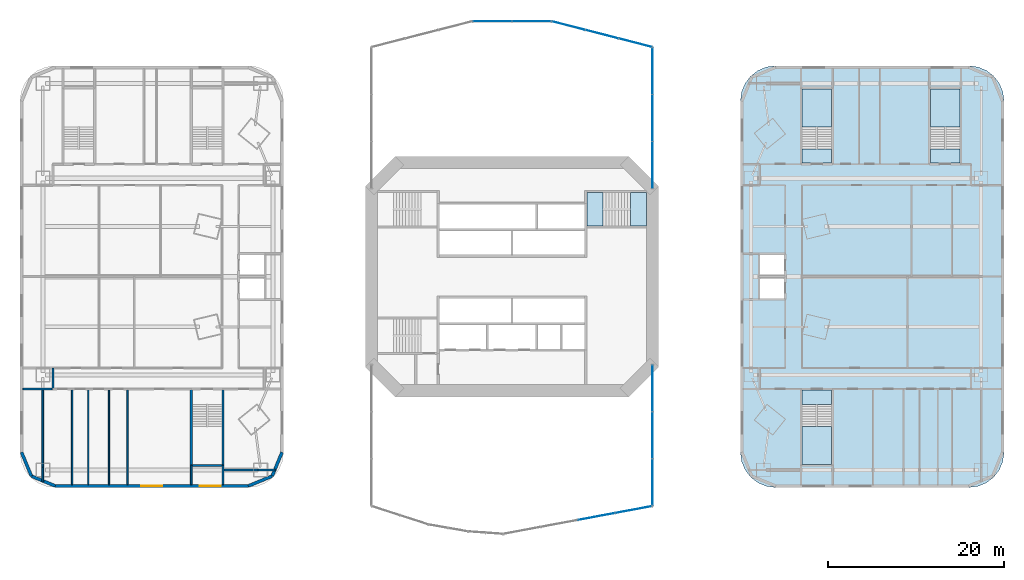
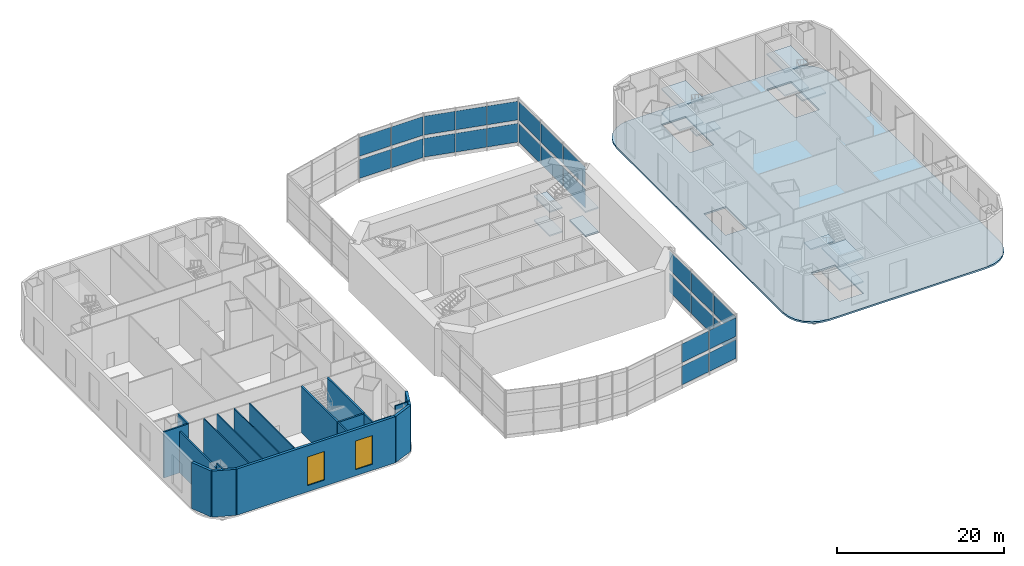
# One storey, part 9 of 19: 26 plates, 20 walls, 14 slabs, 2 windows, 2 openings, 9 elements without a shape of their own.
"""IFC4 building model written with IfcOpenShell, lengths in metres."""

from ifc_helpers import new_model, si_unit, direction, frame, frame_2d, origin, origin_2d, place, context, subcontext, project, spatial, polyline, rectangle, outline, extrude, material, layer, layer_set, type_object, element, fill, aggregate, save


model = new_model("IFC4")

# Units and contexts
model_context = context("Model", 3, precision=1e-05, world=origin(), true_north=direction((0.0, 1.0)))
body_context = subcontext(model_context, "Body", "Model", "MODEL_VIEW")
ifc_project = project(units=[si_unit("LENGTHUNIT", "METRE"), si_unit("AREAUNIT", "SQUARE_METRE"), si_unit("VOLUMEUNIT", "CUBIC_METRE"), si_unit("PLANEANGLEUNIT", "RADIAN"), si_unit("MASSUNIT", "GRAM", prefix="KILO")], contexts=[model_context])

# Site, building, storey
site_placement = place(None, origin())
site = spatial("IfcSite", under=ifc_project, at=site_placement, CompositionType="ELEMENT")
building_placement = place(site_placement, origin())
building = spatial("IfcBuilding", under=site, at=building_placement, Name="Marenthal Gate Tower", CompositionType="ELEMENT")
storey_placement = place(building_placement, frame((0.0, 0.0, 12.0)))
storey = spatial("IfcBuildingStorey", under=building, at=storey_placement, Name="L01", CompositionType="ELEMENT", Elevation=12.0)

# Slab
ifc_material_1 = material(Name="Concrete 50 MPa", Category="concrete")
ifc_layer_1 = layer(ifc_material_1, 0.25)
ifc_layer_set_1 = layer_set([ifc_layer_1], Name="Core floor slab 250")
slab_type_1 = type_object("IfcSlabType", Name="Core floor slab 250", PredefinedType="FLOOR", material=ifc_layer_set_1)
slab_1_placement = place(storey_placement, frame((0.0, 0.0, -0.25)))
element("IfcSlab", 1, at=slab_1_placement, inside=storey, type_object=slab_type_1, Name="Core floor L01", PredefinedType="FLOOR", context=body_context, shape_type="SweptSolid", body=[
    extrude(outline(polyline([(15.300048828125, 5.77490234375), (13.5, 5.77490234375), (13.5, 9.574951171875), (15.300048828125, 9.574951171875), (15.300048828125, 5.77490234375)])), origin(), (0.0, 0.0, 1.0), 0.25),
])

# Curtain wall, plates
ifc_material_2 = material(Name="Aluminium and glass", Category="aluminium")
curtain_wall_type = type_object("IfcCurtainWallType", Name="Curtain wall arch infill", PredefinedType="NOTDEFINED", material=ifc_material_2)
curtain_wall_1_placement = place(storey_placement, origin())
curtain_wall_1 = element("IfcCurtainWall", 2, at=curtain_wall_1_placement, inside=storey, type_object=curtain_wall_type, Name="Curtain wall L01 arch N2", PredefinedType="NOTDEFINED")
ifc_material_3 = material(Name="Glass, laminated impact-rated unit", Category="glass")
ifc_layer_2 = layer(ifc_material_3, 0.035888671875)
ifc_layer_set_2 = layer_set([ifc_layer_2], Name="Glass panel 36 arch infill")
plate_type = type_object("IfcPlateType", Name="Glass panel 36 arch infill", PredefinedType="CURTAIN_PANEL", material=ifc_layer_set_2)
plate_1_placement = place(storey_placement, frame((-2.22998046875, 29.06103515625, 0.5), z_axis=(0.0, 0.0, 1.0), x_axis=(1.0, 0.0, 0.0)))
plate_1 = element("IfcPlate", 3, at=plate_1_placement, type_object=plate_type, Name="Glass panel L01 arch N2.1.1", PredefinedType="CURTAIN_PANEL", context=body_context, shape_type="SweptSolid", body=[
    extrude(rectangle(XDim=4.3798828125, YDim=0.035888671875, at=origin_2d()), origin(), (0.0, 0.0, 1.0), 2.75),
])
plate_2_placement = place(storey_placement, frame((-2.22998046875, 29.06103515625, 3.75), z_axis=(0.0, 0.0, 1.0), x_axis=(1.0, 0.0, 0.0)))
plate_2 = element("IfcPlate", 4, at=plate_2_placement, type_object=plate_type, Name="Glass panel L01 arch N2.1.2", PredefinedType="CURTAIN_PANEL", context=body_context, shape_type="SweptSolid", body=[
    extrude(rectangle(XDim=4.3798828125, YDim=0.035888671875, at=origin_2d()), origin(), (0.0, 0.0, 1.0), 2.75),
])
plate_3_placement = place(storey_placement, frame((2.22998046875, 29.06103515625, 0.5), z_axis=(0.0, 0.0, 1.0), x_axis=(1.0, 0.0, 0.0)))
plate_3 = element("IfcPlate", 5, at=plate_3_placement, type_object=plate_type, Name="Glass panel L01 arch N2.2.1", PredefinedType="CURTAIN_PANEL", context=body_context, shape_type="SweptSolid", body=[
    extrude(rectangle(XDim=4.3798828125, YDim=0.035888671875, at=origin_2d()), origin(), (0.0, 0.0, 1.0), 2.75),
])
plate_4_placement = place(storey_placement, frame((2.22998046875, 29.06103515625, 3.75), z_axis=(0.0, 0.0, 1.0), x_axis=(1.0, 0.0, 0.0)))
plate_4 = element("IfcPlate", 6, at=plate_4_placement, type_object=plate_type, Name="Glass panel L01 arch N2.2.2", PredefinedType="CURTAIN_PANEL", context=body_context, shape_type="SweptSolid", body=[
    extrude(rectangle(XDim=4.3798828125, YDim=0.035888671875, at=origin_2d()), origin(), (0.0, 0.0, 1.0), 2.75),
])
aggregate(curtain_wall_1, [plate_1, plate_2, plate_3, plate_4])

curtain_wall_2_placement = place(storey_placement, origin())
curtain_wall_2 = element("IfcCurtainWall", 7, at=curtain_wall_2_placement, inside=storey, type_object=curtain_wall_type, Name="Curtain wall L01 arch N3", PredefinedType="NOTDEFINED")
plate_5_placement = place(storey_placement, frame((6.4423828125, 28.563720703125, 0.5), z_axis=(0.0, 0.0, 1.0), x_axis=(0.968768898542, -0.247965362941, 0.0)))
plate_5 = element("IfcPlate", 8, at=plate_5_placement, type_object=plate_type, Name="Glass panel L01 arch N3.1.1", PredefinedType="CURTAIN_PANEL", context=body_context, shape_type="SweptSolid", body=[
    extrude(rectangle(XDim=3.850341796875, YDim=0.035888671875, at=origin_2d()), origin(), (0.0, 0.0, 1.0), 2.75),
])
plate_6_placement = place(storey_placement, frame((6.4423828125, 28.563720703125, 3.75), z_axis=(0.0, 0.0, 1.0), x_axis=(0.968768898542, -0.247965362941, 0.0)))
plate_6 = element("IfcPlate", 9, at=plate_6_placement, type_object=plate_type, Name="Glass panel L01 arch N3.1.2", PredefinedType="CURTAIN_PANEL", context=body_context, shape_type="SweptSolid", body=[
    extrude(rectangle(XDim=3.850341796875, YDim=0.035888671875, at=origin_2d()), origin(), (0.0, 0.0, 1.0), 2.75),
])
plate_7_placement = place(storey_placement, frame((10.25, 27.589111328125, 0.5), z_axis=(0.0, 0.0, 1.0), x_axis=(0.968768898542, -0.247965362941, 0.0)))
plate_7 = element("IfcPlate", 10, at=plate_7_placement, type_object=plate_type, Name="Glass panel L01 arch N3.2.1", PredefinedType="CURTAIN_PANEL", context=body_context, shape_type="SweptSolid", body=[
    extrude(rectangle(XDim=3.850341796875, YDim=0.035888671875, at=origin_2d()), origin(), (0.0, 0.0, 1.0), 2.75),
])
plate_8_placement = place(storey_placement, frame((10.25, 27.589111328125, 3.75), z_axis=(0.0, 0.0, 1.0), x_axis=(0.968768898542, -0.247965362941, 0.0)))
plate_8 = element("IfcPlate", 11, at=plate_8_placement, type_object=plate_type, Name="Glass panel L01 arch N3.2.2", PredefinedType="CURTAIN_PANEL", context=body_context, shape_type="SweptSolid", body=[
    extrude(rectangle(XDim=3.850341796875, YDim=0.035888671875, at=origin_2d()), origin(), (0.0, 0.0, 1.0), 2.75),
])
plate_9_placement = place(storey_placement, frame((14.0576171875, 26.614501953125, 0.5), z_axis=(0.0, 0.0, 1.0), x_axis=(0.968768898542, -0.247965362941, 0.0)))
plate_9 = element("IfcPlate", 12, at=plate_9_placement, type_object=plate_type, Name="Glass panel L01 arch N3.3.1", PredefinedType="CURTAIN_PANEL", context=body_context, shape_type="SweptSolid", body=[
    extrude(rectangle(XDim=3.850341796875, YDim=0.035888671875, at=origin_2d()), origin(), (0.0, 0.0, 1.0), 2.75),
])
plate_10_placement = place(storey_placement, frame((14.0576171875, 26.614501953125, 3.75), z_axis=(0.0, 0.0, 1.0), x_axis=(0.968768898542, -0.247965362941, 0.0)))
plate_10 = element("IfcPlate", 13, at=plate_10_placement, type_object=plate_type, Name="Glass panel L01 arch N3.3.2", PredefinedType="CURTAIN_PANEL", context=body_context, shape_type="SweptSolid", body=[
    extrude(rectangle(XDim=3.850341796875, YDim=0.035888671875, at=origin_2d()), origin(), (0.0, 0.0, 1.0), 2.75),
])
aggregate(curtain_wall_2, [plate_5, plate_6, plate_7, plate_8, plate_9, plate_10])

curtain_wall_3_placement = place(storey_placement, origin())
curtain_wall_3 = element("IfcCurtainWall", 14, at=curtain_wall_3_placement, inside=storey, type_object=curtain_wall_type, Name="Curtain wall L01 hall NE1", PredefinedType="NOTDEFINED")
plate_11_placement = place(storey_placement, frame((16.0, 12.712890625, 0.5), z_axis=(0.0, 0.0, 1.0), x_axis=(0.0, 1.0, 0.0)))
plate_11 = element("IfcPlate", 15, at=plate_11_placement, type_object=plate_type, Name="Glass panel L01 hall NE1.1.1", PredefinedType="CURTAIN_PANEL", context=body_context, shape_type="SweptSolid", body=[
    extrude(rectangle(XDim=5.265869140625, YDim=0.035888671875, at=origin_2d()), origin(), (0.0, 0.0, 1.0), 2.75),
])
plate_12_placement = place(storey_placement, frame((16.0, 12.712890625, 3.75), z_axis=(0.0, 0.0, 1.0), x_axis=(0.0, 1.0, 0.0)))
plate_12 = element("IfcPlate", 16, at=plate_12_placement, type_object=plate_type, Name="Glass panel L01 hall NE1.1.2", PredefinedType="CURTAIN_PANEL", context=body_context, shape_type="SweptSolid", body=[
    extrude(rectangle(XDim=5.265869140625, YDim=0.035888671875, at=origin_2d()), origin(), (0.0, 0.0, 1.0), 2.75),
])
plate_13_placement = place(storey_placement, frame((16.0, 18.05859375, 0.5), z_axis=(0.0, 0.0, 1.0), x_axis=(0.0, 1.0, 0.0)))
plate_13 = element("IfcPlate", 17, at=plate_13_placement, type_object=plate_type, Name="Glass panel L01 hall NE1.2.1", PredefinedType="CURTAIN_PANEL", context=body_context, shape_type="SweptSolid", body=[
    extrude(rectangle(XDim=5.265869140625, YDim=0.035888671875, at=origin_2d()), origin(), (0.0, 0.0, 1.0), 2.75),
])
plate_14_placement = place(storey_placement, frame((16.0, 18.05859375, 3.75), z_axis=(0.0, 0.0, 1.0), x_axis=(0.0, 1.0, 0.0)))
plate_14 = element("IfcPlate", 18, at=plate_14_placement, type_object=plate_type, Name="Glass panel L01 hall NE1.2.2", PredefinedType="CURTAIN_PANEL", context=body_context, shape_type="SweptSolid", body=[
    extrude(rectangle(XDim=5.265869140625, YDim=0.035888671875, at=origin_2d()), origin(), (0.0, 0.0, 1.0), 2.75),
])
plate_15_placement = place(storey_placement, frame((16.0, 23.404541015625, 0.5), z_axis=(0.0, 0.0, 1.0), x_axis=(0.0, 1.0, 0.0)))
plate_15 = element("IfcPlate", 19, at=plate_15_placement, type_object=plate_type, Name="Glass panel L01 hall NE1.3.1", PredefinedType="CURTAIN_PANEL", context=body_context, shape_type="SweptSolid", body=[
    extrude(rectangle(XDim=5.265869140625, YDim=0.035888671875, at=origin_2d()), origin(), (0.0, 0.0, 1.0), 2.75),
])
plate_16_placement = place(storey_placement, frame((16.0, 23.404541015625, 3.75), z_axis=(0.0, 0.0, 1.0), x_axis=(0.0, 1.0, 0.0)))
plate_16 = element("IfcPlate", 20, at=plate_16_placement, type_object=plate_type, Name="Glass panel L01 hall NE1.3.2", PredefinedType="CURTAIN_PANEL", context=body_context, shape_type="SweptSolid", body=[
    extrude(rectangle(XDim=5.265869140625, YDim=0.035888671875, at=origin_2d()), origin(), (0.0, 0.0, 1.0), 2.75),
])
aggregate(curtain_wall_3, [plate_11, plate_12, plate_13, plate_14, plate_15, plate_16])

curtain_wall_4_placement = place(storey_placement, origin())
curtain_wall_4 = element("IfcCurtainWall", 21, at=curtain_wall_4_placement, inside=storey, type_object=curtain_wall_type, Name="Curtain wall L01 arch S4", PredefinedType="NOTDEFINED")
plate_17_placement = place(storey_placement, frame((9.615234375, -27.308349609375, 0.5), z_axis=(0.0, 0.0, 1.0), x_axis=(0.983046432537, 0.183356787375, 0.0)))
plate_17 = element("IfcPlate", 22, at=plate_17_placement, type_object=plate_type, Name="Glass panel L01 arch S4.3.1", PredefinedType="CURTAIN_PANEL", context=body_context, shape_type="SweptSolid", body=[
    extrude(rectangle(XDim=4.223388671875, YDim=0.035888671875, at=origin_2d()), origin(), (0.0, 0.0, 1.0), 2.75),
])
plate_18_placement = place(storey_placement, frame((9.615234375, -27.308349609375, 3.75), z_axis=(0.0, 0.0, 1.0), x_axis=(0.983046432537, 0.183356787375, 0.0)))
plate_18 = element("IfcPlate", 23, at=plate_18_placement, type_object=plate_type, Name="Glass panel L01 arch S4.3.2", PredefinedType="CURTAIN_PANEL", context=body_context, shape_type="SweptSolid", body=[
    extrude(rectangle(XDim=4.223388671875, YDim=0.035888671875, at=origin_2d()), origin(), (0.0, 0.0, 1.0), 2.75),
])
plate_19_placement = place(storey_placement, frame((13.845458984375, -26.519287109375, 0.5), z_axis=(0.0, 0.0, 1.0), x_axis=(0.983046432537, 0.183356787375, 0.0)))
plate_19 = element("IfcPlate", 24, at=plate_19_placement, type_object=plate_type, Name="Glass panel L01 arch S4.4.1", PredefinedType="CURTAIN_PANEL", context=body_context, shape_type="SweptSolid", body=[
    extrude(rectangle(XDim=4.223388671875, YDim=0.035888671875, at=origin_2d()), origin(), (0.0, 0.0, 1.0), 2.75),
])
plate_20_placement = place(storey_placement, frame((13.845458984375, -26.519287109375, 3.75), z_axis=(0.0, 0.0, 1.0), x_axis=(0.983046432537, 0.183356787375, 0.0)))
plate_20 = element("IfcPlate", 25, at=plate_20_placement, type_object=plate_type, Name="Glass panel L01 arch S4.4.2", PredefinedType="CURTAIN_PANEL", context=body_context, shape_type="SweptSolid", body=[
    extrude(rectangle(XDim=4.223388671875, YDim=0.035888671875, at=origin_2d()), origin(), (0.0, 0.0, 1.0), 2.75),
])
aggregate(curtain_wall_4, [plate_17, plate_18, plate_19, plate_20])

curtain_wall_5_placement = place(storey_placement, origin())
curtain_wall_5 = element("IfcCurtainWall", 26, at=curtain_wall_5_placement, inside=storey, type_object=curtain_wall_type, Name="Curtain wall L01 hall SE1", PredefinedType="NOTDEFINED")
plate_21_placement = place(storey_placement, frame((16.0, -12.712890625, 0.5), z_axis=(0.0, 0.0, 1.0), x_axis=(0.0, -1.0, 0.0)))
plate_21 = element("IfcPlate", 27, at=plate_21_placement, type_object=plate_type, Name="Glass panel L01 hall SE1.1.1", PredefinedType="CURTAIN_PANEL", context=body_context, shape_type="SweptSolid", body=[
    extrude(rectangle(XDim=5.265869140625, YDim=0.035888671875, at=origin_2d()), origin(), (0.0, 0.0, 1.0), 2.75),
])
plate_22_placement = place(storey_placement, frame((16.0, -12.712890625, 3.75), z_axis=(0.0, 0.0, 1.0), x_axis=(0.0, -1.0, 0.0)))
plate_22 = element("IfcPlate", 28, at=plate_22_placement, type_object=plate_type, Name="Glass panel L01 hall SE1.1.2", PredefinedType="CURTAIN_PANEL", context=body_context, shape_type="SweptSolid", body=[
    extrude(rectangle(XDim=5.265869140625, YDim=0.035888671875, at=origin_2d()), origin(), (0.0, 0.0, 1.0), 2.75),
])
plate_23_placement = place(storey_placement, frame((16.0, -18.05859375, 0.5), z_axis=(0.0, 0.0, 1.0), x_axis=(0.0, -1.0, 0.0)))
plate_23 = element("IfcPlate", 29, at=plate_23_placement, type_object=plate_type, Name="Glass panel L01 hall SE1.2.1", PredefinedType="CURTAIN_PANEL", context=body_context, shape_type="SweptSolid", body=[
    extrude(rectangle(XDim=5.265869140625, YDim=0.035888671875, at=origin_2d()), origin(), (0.0, 0.0, 1.0), 2.75),
])
plate_24_placement = place(storey_placement, frame((16.0, -18.05859375, 3.75), z_axis=(0.0, 0.0, 1.0), x_axis=(0.0, -1.0, 0.0)))
plate_24 = element("IfcPlate", 30, at=plate_24_placement, type_object=plate_type, Name="Glass panel L01 hall SE1.2.2", PredefinedType="CURTAIN_PANEL", context=body_context, shape_type="SweptSolid", body=[
    extrude(rectangle(XDim=5.265869140625, YDim=0.035888671875, at=origin_2d()), origin(), (0.0, 0.0, 1.0), 2.75),
])
plate_25_placement = place(storey_placement, frame((16.0, -23.404541015625, 0.5), z_axis=(0.0, 0.0, 1.0), x_axis=(0.0, -1.0, 0.0)))
plate_25 = element("IfcPlate", 31, at=plate_25_placement, type_object=plate_type, Name="Glass panel L01 hall SE1.3.1", PredefinedType="CURTAIN_PANEL", context=body_context, shape_type="SweptSolid", body=[
    extrude(rectangle(XDim=5.265869140625, YDim=0.035888671875, at=origin_2d()), origin(), (0.0, 0.0, 1.0), 2.75),
])
plate_26_placement = place(storey_placement, frame((16.0, -23.404541015625, 3.75), z_axis=(0.0, 0.0, 1.0), x_axis=(0.0, -1.0, 0.0)))
plate_26 = element("IfcPlate", 32, at=plate_26_placement, type_object=plate_type, Name="Glass panel L01 hall SE1.3.2", PredefinedType="CURTAIN_PANEL", context=body_context, shape_type="SweptSolid", body=[
    extrude(rectangle(XDim=5.265869140625, YDim=0.035888671875, at=origin_2d()), origin(), (0.0, 0.0, 1.0), 2.75),
])
aggregate(curtain_wall_5, [plate_21, plate_22, plate_23, plate_24, plate_25, plate_26])

# Stair, slabs
ifc_material_4 = material(Name="Concrete 40 MPa", Category="concrete")
stair_type_1 = type_object("IfcStairType", Name="Exit stair 1800", PredefinedType="HALF_TURN_STAIR", material=ifc_material_4)
stair_1_placement = place(storey_placement, origin())
stair_1 = element("IfcStair", 33, at=stair_1_placement, inside=storey, type_object=stair_type_1, Name="Stair ST3", PredefinedType="HALF_TURN_STAIR")
ifc_material_5 = material(Name="Concrete 40 MPa", Category="concrete")
ifc_layer_3 = layer(ifc_material_5, 0.199951171875)
ifc_layer_set_3 = layer_set([ifc_layer_3], Name="Stair landing 200")
slab_type_2 = type_object("IfcSlabType", Name="Stair landing 200", PredefinedType="LANDING", material=ifc_layer_set_3)
slab_2_placement = place(storey_placement, frame((0.0, 0.0, 1.550048828125)))
slab_2 = element("IfcSlab", 34, at=slab_2_placement, type_object=slab_type_2, Name="ST3 landing 1", PredefinedType="LANDING", context=body_context, shape_type="SweptSolid", body=[
    extrude(outline(polyline([(8.550048828125, 5.77490234375), (10.35009765625, 5.77490234375), (10.35009765625, 9.574951171875), (8.550048828125, 9.574951171875), (8.550048828125, 5.77490234375)])), origin(), (0.0, 0.0, 1.0), 0.199951171875),
])
slab_3_placement = place(storey_placement, frame((0.0, 0.0, 3.300048828125)))
slab_3 = element("IfcSlab", 35, at=slab_3_placement, type_object=slab_type_2, Name="ST3 landing 2", PredefinedType="LANDING", context=body_context, shape_type="SweptSolid", body=[
    extrude(outline(polyline([(13.5, 5.77490234375), (15.300048828125, 5.77490234375), (15.300048828125, 9.574951171875), (13.5, 9.574951171875), (13.5, 5.77490234375)])), origin(), (0.0, 0.0, 1.0), 0.199951171875),
])
slab_4_placement = place(storey_placement, frame((0.0, 0.0, 5.050048828125)))
slab_4 = element("IfcSlab", 36, at=slab_4_placement, type_object=slab_type_2, Name="ST3 landing 3", PredefinedType="LANDING", context=body_context, shape_type="SweptSolid", body=[
    extrude(outline(polyline([(8.550048828125, 5.77490234375), (10.35009765625, 5.77490234375), (10.35009765625, 9.574951171875), (8.550048828125, 9.574951171875), (8.550048828125, 5.77490234375)])), origin(), (0.0, 0.0, 1.0), 0.199951171875),
])
aggregate(stair_1, [slab_2, slab_3, slab_4])

ifc_material_6 = material(Name="Concrete 40 MPa", Category="concrete")
stair_type_2 = type_object("IfcStairType", Name="Exit stair 1600", PredefinedType="HALF_TURN_STAIR", material=ifc_material_6)
stair_2_placement = place(storey_placement, origin())
stair_2 = element("IfcStair", 37, at=stair_2_placement, inside=storey, type_object=stair_type_2, Name="Stair E1", PredefinedType="HALF_TURN_STAIR")
slab_5_placement = place(storey_placement, frame((0.0, 0.0, 1.550048828125)))
slab_5 = element("IfcSlab", 38, at=slab_5_placement, type_object=slab_type_2, Name="E1 landing 1", PredefinedType="LANDING", context=body_context, shape_type="SweptSolid", body=[
    extrude(outline(polyline([(33.02490234375, 17.044921875), (33.02490234375, 21.375), (36.375, 21.375), (36.375, 17.044921875), (33.02490234375, 17.044921875)])), origin(), (0.0, 0.0, 1.0), 0.199951171875),
])
slab_6_placement = place(storey_placement, frame((0.0, 0.0, 3.300048828125)))
slab_6 = element("IfcSlab", 39, at=slab_6_placement, type_object=slab_type_2, Name="E1 landing 2", PredefinedType="LANDING", context=body_context, shape_type="SweptSolid", body=[
    extrude(outline(polyline([(33.02490234375, 12.925048828125), (33.02490234375, 14.52490234375), (36.375, 14.52490234375), (36.375, 12.925048828125), (33.02490234375, 12.925048828125)])), origin(), (0.0, 0.0, 1.0), 0.199951171875),
])
slab_7_placement = place(storey_placement, frame((0.0, 0.0, 5.050048828125)))
slab_7 = element("IfcSlab", 40, at=slab_7_placement, type_object=slab_type_2, Name="E1 landing 3", PredefinedType="LANDING", context=body_context, shape_type="SweptSolid", body=[
    extrude(outline(polyline([(33.02490234375, 17.044921875), (33.02490234375, 21.375), (36.375, 21.375), (36.375, 17.044921875), (33.02490234375, 17.044921875)])), origin(), (0.0, 0.0, 1.0), 0.199951171875),
])
aggregate(stair_2, [slab_5, slab_6, slab_7])

stair_3_placement = place(storey_placement, origin())
stair_3 = element("IfcStair", 41, at=stair_3_placement, inside=storey, type_object=stair_type_2, Name="Stair E2", PredefinedType="HALF_TURN_STAIR")
slab_8_placement = place(storey_placement, frame((0.0, 0.0, 1.550048828125)))
slab_8 = element("IfcSlab", 42, at=slab_8_placement, type_object=slab_type_2, Name="E2 landing 1", PredefinedType="LANDING", context=body_context, shape_type="SweptSolid", body=[
    extrude(outline(polyline([(36.375, -17.044921875), (36.375, -21.375), (33.02490234375, -21.375), (33.02490234375, -17.044921875), (36.375, -17.044921875)])), origin(), (0.0, 0.0, 1.0), 0.199951171875),
])
slab_9_placement = place(storey_placement, frame((0.0, 0.0, 3.300048828125)))
slab_9 = element("IfcSlab", 43, at=slab_9_placement, type_object=slab_type_2, Name="E2 landing 2", PredefinedType="LANDING", context=body_context, shape_type="SweptSolid", body=[
    extrude(outline(polyline([(36.375, -12.925048828125), (36.375, -14.52490234375), (33.02490234375, -14.52490234375), (33.02490234375, -12.925048828125), (36.375, -12.925048828125)])), origin(), (0.0, 0.0, 1.0), 0.199951171875),
])
slab_10_placement = place(storey_placement, frame((0.0, 0.0, 5.050048828125)))
slab_10 = element("IfcSlab", 44, at=slab_10_placement, type_object=slab_type_2, Name="E2 landing 3", PredefinedType="LANDING", context=body_context, shape_type="SweptSolid", body=[
    extrude(outline(polyline([(36.375, -17.044921875), (36.375, -21.375), (33.02490234375, -21.375), (33.02490234375, -17.044921875), (36.375, -17.044921875)])), origin(), (0.0, 0.0, 1.0), 0.199951171875),
])
aggregate(stair_3, [slab_8, slab_9, slab_10])

stair_4_placement = place(storey_placement, origin())
stair_4 = element("IfcStair", 45, at=stair_4_placement, inside=storey, type_object=stair_type_2, Name="Stair E3", PredefinedType="HALF_TURN_STAIR")
slab_11_placement = place(storey_placement, frame((0.0, 0.0, 1.550048828125)))
slab_11 = element("IfcSlab", 46, at=slab_11_placement, type_object=slab_type_2, Name="E3 landing 1", PredefinedType="LANDING", context=body_context, shape_type="SweptSolid", body=[
    extrude(outline(polyline([(47.625, 17.044921875), (47.625, 21.375), (50.97509765625, 21.375), (50.97509765625, 17.044921875), (47.625, 17.044921875)])), origin(), (0.0, 0.0, 1.0), 0.199951171875),
])
slab_12_placement = place(storey_placement, frame((0.0, 0.0, 3.300048828125)))
slab_12 = element("IfcSlab", 47, at=slab_12_placement, type_object=slab_type_2, Name="E3 landing 2", PredefinedType="LANDING", context=body_context, shape_type="SweptSolid", body=[
    extrude(outline(polyline([(47.625, 12.925048828125), (47.625, 14.52490234375), (50.97509765625, 14.52490234375), (50.97509765625, 12.925048828125), (47.625, 12.925048828125)])), origin(), (0.0, 0.0, 1.0), 0.199951171875),
])
slab_13_placement = place(storey_placement, frame((0.0, 0.0, 5.050048828125)))
slab_13 = element("IfcSlab", 48, at=slab_13_placement, type_object=slab_type_2, Name="E3 landing 3", PredefinedType="LANDING", context=body_context, shape_type="SweptSolid", body=[
    extrude(outline(polyline([(47.625, 17.044921875), (47.625, 21.375), (50.97509765625, 21.375), (50.97509765625, 17.044921875), (47.625, 17.044921875)])), origin(), (0.0, 0.0, 1.0), 0.199951171875),
])
aggregate(stair_4, [slab_11, slab_12, slab_13])

# Slab
ifc_material_7 = material(Name="Concrete 35 MPa", Category="concrete")
ifc_layer_4 = layer(ifc_material_7, 0.25)
ifc_layer_set_4 = layer_set([ifc_layer_4], Name="WING FLOOR 250")
slab_type_3 = type_object("IfcSlabType", Name="WING FLOOR 250", PredefinedType="FLOOR", material=ifc_layer_set_4)
slab_14_placement = place(storey_placement, frame((0.0, 0.0, -0.25)))
element("IfcSlab", 49, at=slab_14_placement, inside=storey, type_object=slab_type_3, Name="SL-L01-11", PredefinedType="FLOOR", context=body_context, shape_type="SweptSolid", body=[
    extrude(outline(polyline([(30.0, -24.0), (28.964599609375, -23.86376953125), (28.0, -23.464111328125), (27.171630859375, -22.828369140625), (26.535888671875, -22.0), (26.13623046875, -21.035400390625), (26.0, -20.0), (26.0, 20.0), (26.13623046875, 21.035400390625), (26.535888671875, 22.0), (27.171630859375, 22.828369140625), (28.0, 23.464111328125), (28.964599609375, 23.86376953125), (30.0, 24.0), (52.0, 24.0), (53.035400390625, 23.86376953125), (54.0, 23.464111328125), (54.828369140625, 22.828369140625), (55.464111328125, 22.0), (55.86376953125, 21.035400390625), (56.0, 20.0), (56.0, -20.0), (55.86376953125, -21.035400390625), (55.464111328125, -22.0), (54.828369140625, -22.828369140625), (54.0, -23.464111328125), (53.035400390625, -23.86376953125), (52.0, -24.0), (30.0, -24.0)]), holes=[polyline([(33.02490234375, -14.529052734375), (33.02490234375, -21.37109375), (36.375, -21.37109375), (36.375, -14.529052734375), (33.02490234375, -14.529052734375)]), polyline([(28.10009765625, 2.60009765625), (28.10009765625, -2.60009765625), (31.10009765625, -2.60009765625), (31.10009765625, 2.60009765625), (28.10009765625, 2.60009765625)]), polyline([(33.02490234375, 21.37109375), (33.02490234375, 14.529052734375), (36.375, 14.529052734375), (36.375, 21.37109375), (33.02490234375, 21.37109375)]), polyline([(47.625, 21.37109375), (47.625, 14.529052734375), (50.97509765625, 14.529052734375), (50.97509765625, 21.37109375), (47.625, 21.37109375)])]), origin(), (0.0, 0.0, 1.0), 0.25),
])

# Walls
ifc_material_8 = material(Name="Gypsum board on steel studs", Category="steel")
ifc_layer_5 = layer(ifc_material_8, 0.199951171875)
ifc_layer_set_5 = layer_set([ifc_layer_5], Name="Partition 200")
wall_type_1 = type_object("IfcWallType", Name="Partition 200", PredefinedType="PARTITIONING", material=ifc_layer_set_5)
wall_1_placement = place(storey_placement, frame((-32.89990234375, -22.0, 0.0), z_axis=(0.0, 0.0, 1.0), x_axis=(1.0, 0.0, 0.0)))
element("IfcWall", 50, at=wall_1_placement, inside=storey, type_object=wall_type_1, Name="Partition wall 83", PredefinedType="PARTITIONING", context=body_context, shape_type="SweptSolid", body=[
    extrude(rectangle(XDim=4.0, YDim=0.199951171875, at=frame_2d((2.0, 0.0))), origin(), (0.0, 0.0, 1.0), 5.449951171875),
])
wall_2_placement = place(storey_placement, frame((-28.89990234375, -22.0, 0.0), z_axis=(0.0, 0.0, 1.0), x_axis=(1.0, 0.0, 0.0)))
element("IfcWall", 51, at=wall_2_placement, inside=storey, type_object=wall_type_1, Name="Partition wall 165", PredefinedType="PARTITIONING", context=body_context, shape_type="SweptSolid", body=[
    extrude(rectangle(XDim=1.947998046875, YDim=0.199951171875, at=frame_2d((0.97412109375, 0.0))), origin(), (0.0, 0.0, 1.0), 6.75),
])
wall_3_placement = place(storey_placement, frame((-55.669921875, -12.800048828125, 0.0), z_axis=(0.0, 0.0, 1.0), x_axis=(1.0, 0.0, 0.0)))
element("IfcWall", 52, at=wall_3_placement, inside=storey, type_object=wall_type_1, Name="Partition wall 85", PredefinedType="PARTITIONING", context=body_context, shape_type="SweptSolid", body=[
    extrude(rectangle(XDim=3.4248046875, YDim=0.199951171875, at=frame_2d((1.71240234375, 0.0))), origin(), (0.0, 0.0, 1.0), 6.75),
])
for number, where, z_axis, x_axis, name in (
    (53, (-32.89990234375, -23.669921875, 0.0), (0.0, 0.0, 1.0), (0.0, 1.0, 0.0), "Partition wall 20"),
    (54, (-36.5, -23.669921875, 0.0), (0.0, 0.0, 1.0), (0.0, 1.0, 0.0), "Partition wall 22"),
):
    element("IfcWall", number, at=place(storey_placement, frame(where, z_axis=z_axis, x_axis=x_axis)), inside=storey, type_object=wall_type_1, Name=name, PredefinedType="PARTITIONING", context=body_context, shape_type="SweptSolid", body=[
        extrude(rectangle(XDim=2.173828125, YDim=0.199951171875, at=frame_2d((1.0869140625, 0.0))), origin(), (0.0, 0.0, 1.0), 6.75),
    ])
wall_4_placement = place(storey_placement, frame((-52.25, -12.800048828125, 0.0), z_axis=(0.0, 0.0, 1.0), x_axis=(0.0, 1.0, 0.0)))
element("IfcWall", 55, at=wall_4_placement, inside=storey, type_object=wall_type_1, Name="Partition wall 26", PredefinedType="PARTITIONING", context=body_context, shape_type="SweptSolid", body=[
    extrude(rectangle(XDim=2.400146484375, YDim=0.199951171875, at=frame_2d((1.2001953125, 0.0))), origin(), (0.0, 0.0, 1.0), 6.75),
])
wall_5_placement = place(storey_placement, frame((-53.39990234375, -23.35546875, 0.0), z_axis=(0.0, 0.0, 1.0), x_axis=(0.0, 1.0, 0.0)))
element("IfcWall", 56, at=wall_5_placement, inside=storey, type_object=wall_type_1, Name="Partition wall 28", PredefinedType="PARTITIONING", context=body_context, shape_type="SweptSolid", body=[
    extrude(rectangle(XDim=1.655517578125, YDim=0.199951171875, at=frame_2d((0.82763671875, 0.0))), origin(), (0.0, 0.0, 1.0), 6.75),
])
wall_6_placement = place(storey_placement, frame((-53.39990234375, -21.699951171875, 0.0), z_axis=(0.0, 0.0, 1.0), x_axis=(0.0, 1.0, 0.0)))
element("IfcWall", 57, at=wall_6_placement, inside=storey, type_object=wall_type_1, Name="Partition wall 170", PredefinedType="PARTITIONING", context=body_context, shape_type="SweptSolid", body=[
    extrude(rectangle(XDim=8.89990234375, YDim=0.199951171875, at=frame_2d((4.449951171875, 0.0))), origin(), (0.0, 0.0, 1.0), 6.06689453125),
])
ifc_material_9 = material(Name="Concrete 50 MPa", Category="concrete")
ifc_layer_6 = layer(ifc_material_9, 0.25)
ifc_layer_set_6 = layer_set([ifc_layer_6], Name="Stair shear wall 250")
wall_type_2 = type_object("IfcWallType", Name="Stair shear wall 250", PredefinedType="SHEAR", material=ifc_layer_set_6)
wall_7_placement = place(storey_placement, frame((-36.5, -21.5, 0.0), z_axis=(0.0, 0.0, 1.0), x_axis=(1.0, 0.0, 0.0)))
element("IfcWall", 58, at=wall_7_placement, inside=storey, type_object=wall_type_2, Name="Stair wall 29", PredefinedType="SHEAR", context=body_context, shape_type="SweptSolid", body=[
    extrude(rectangle(XDim=3.60009765625, YDim=0.25, at=frame_2d((1.800048828125, 0.0))), origin(), (0.0, 0.0, 1.0), 6.75),
])
for number, where, z_axis, x_axis, name in (
    (59, (-32.89990234375, -21.5, 0.0), (0.0, 0.0, 1.0), (0.0, 1.0, 0.0), "Stair wall 47"),
    (60, (-36.5, -21.5, 0.0), (0.0, 0.0, 1.0), (0.0, 1.0, 0.0), "Stair wall 49"),
):
    element("IfcWall", number, at=place(storey_placement, frame(where, z_axis=z_axis, x_axis=x_axis)), inside=storey, type_object=wall_type_2, Name=name, PredefinedType="SHEAR", context=body_context, shape_type="SweptSolid", body=[
        extrude(rectangle(XDim=8.699951171875, YDim=0.25, at=frame_2d((4.35009765625, 0.0))), origin(), (0.0, 0.0, 1.0), 6.75),
    ])
ifc_material_10 = material(Name="Terracotta cladding on insulated concrete-block backing", Category="masonry")
ifc_layer_7 = layer(ifc_material_10, 0.35009765625)
ifc_layer_set_7 = layer_set([ifc_layer_7], Name="Terracotta cladding wall 350")
wall_type_3 = type_object("IfcWallType", Name="Terracotta cladding wall 350", PredefinedType="SOLIDWALL", material=ifc_layer_set_7)
for number, where, z_axis, x_axis, name in (
    (61, (-30.011474609375, -23.824951171875, 0.0), (0.0, 0.0, 1.0), (0.924274813566, 0.381727741993, 0.0), "Terracotta cladding wall L01 W1"),
    (62, (-27.29638671875, -22.70361328125, 0.0), (0.0, 0.0, 1.0), (0.381727741993, 0.924274813566, 0.0), "Terracotta cladding wall L01 W2"),
    (63, (-55.824951171875, -19.988525390625, 0.0), (0.0, 0.0, 1.0), (0.381727741993, -0.924274813566, 0.0), "Terracotta cladding wall L01 W10"),
    (64, (-54.70361328125, -22.70361328125, 0.0), (0.0, 0.0, 1.0), (0.924274813566, -0.381727741993, 0.0), "Terracotta cladding wall L01 W11"),
):
    element("IfcWall", number, at=place(storey_placement, frame(where, z_axis=z_axis, x_axis=x_axis)), inside=storey, type_object=wall_type_3, Name=name, PredefinedType="SOLIDWALL", context=body_context, shape_type="SweptSolid", body=[
        extrude(rectangle(XDim=2.9375, YDim=0.35009765625, at=frame_2d((1.46875, 0.0))), origin(), (0.0, 0.0, 1.0), 6.75),
    ])

# Wall, openings, windows
wall_8_placement = place(storey_placement, frame((-51.988525390625, -23.824951171875, 0.0), z_axis=(0.0, 0.0, 1.0), x_axis=(1.0, 0.0, 0.0)))
wall_8 = element("IfcWall", 65, at=wall_8_placement, inside=storey, type_object=wall_type_3, Name="Terracotta cladding wall L01 W12", PredefinedType="SOLIDWALL", context=body_context, shape_type="SweptSolid", body=[
    extrude(rectangle(XDim=21.97705078125, YDim=0.35009765625, at=frame_2d((10.988525390625, 0.0))), origin(), (0.0, 0.0, 1.0), 6.75),
])
opening_1_placement = place(wall_8_placement, frame((9.78857421875, 0.0, 0.89990234375)))
opening_1 = element("IfcOpeningElement", 66, at=opening_1_placement, cuts=wall_8, Name="Opening WN4-L01-63", PredefinedType="OPENING", context=body_context, shape_type="SweptSolid", body=[
    extrude(rectangle(XDim=2.39990234375, YDim=4.199951171875, at=frame_2d((1.199951171875, 2.10009765625))), frame((0.0, 0.18505859375, 0.0), z_axis=(0.0, -1.0, 0.0), x_axis=(1.0, 0.0, 0.0)), (0.0, 0.0, 1.0), 0.3701171875),
])
opening_2_placement = place(wall_8_placement, frame((16.4384765625, 0.0, 0.89990234375)))
opening_2 = element("IfcOpeningElement", 67, at=opening_2_placement, cuts=wall_8, Name="Opening WN4-L01-64", PredefinedType="OPENING", context=body_context, shape_type="SweptSolid", body=[
    extrude(rectangle(XDim=2.39990234375, YDim=4.199951171875, at=frame_2d((1.199951171875, 2.10009765625))), frame((0.0, 0.18505859375, 0.0), z_axis=(0.0, -1.0, 0.0), x_axis=(1.0, 0.0, 0.0)), (0.0, 0.0, 1.0), 0.3701171875),
])
ifc_material_11 = material(Name="Aluminium and laminated impact-rated glass", Category="aluminium")
window_type = type_object("IfcWindowType", Name="Window 2400x4200 impact-rated", PartitioningType="DOUBLE_PANEL_VERTICAL", PredefinedType="WINDOW", material=ifc_material_11)
window_1_placement = place(opening_1_placement, origin())
window_1 = element("IfcWindow", 68, at=window_1_placement, inside=storey, type_object=window_type, Name="Window L01 W12 1", OverallHeight=4.199951171875, OverallWidth=2.39990234375, PartitioningType="SINGLE_PANEL", PredefinedType="WINDOW", context=body_context, shape_type="SweptSolid", body=[
    extrude(rectangle(XDim=2.39990234375, YDim=4.199951171875, at=frame_2d((1.199951171875, 2.10009765625))), frame((0.0, 0.030029296875, 0.0), z_axis=(0.0, -1.0, 0.0), x_axis=(1.0, 0.0, 0.0)), (0.0, 0.0, 1.0), 0.06005859375),
])
fill(opening_1, window_1)
window_2_placement = place(opening_2_placement, origin())
window_2 = element("IfcWindow", 69, at=window_2_placement, inside=storey, type_object=window_type, Name="Window L01 W12 2", OverallHeight=4.199951171875, OverallWidth=2.39990234375, PartitioningType="SINGLE_PANEL", PredefinedType="WINDOW", context=body_context, shape_type="SweptSolid", body=[
    extrude(rectangle(XDim=2.39990234375, YDim=4.199951171875, at=frame_2d((1.199951171875, 2.10009765625))), frame((0.0, 0.030029296875, 0.0), z_axis=(0.0, -1.0, 0.0), x_axis=(1.0, 0.0, 0.0)), (0.0, 0.0, 1.0), 0.06005859375),
])
fill(opening_2, window_2)

# Walls
ifc_material_12 = material(Name="Gypsum board on steel studs", Category="steel")
ifc_layer_8 = layer(ifc_material_12, 0.14990234375)
ifc_layer_set_8 = layer_set([ifc_layer_8], Name="Wet room partition 150")
wall_type_4 = type_object("IfcWallType", Name="Wet room partition 150", PredefinedType="PARTITIONING", material=ifc_layer_set_8)
for number, where, z_axis, x_axis, name in (
    (70, (-43.75, -23.669921875, 0.0), (0.0, 0.0, 1.0), (0.0, 1.0, 0.0), "Wet wall 59"),
    (71, (-45.860107421875, -23.669921875, 0.0), (0.0, 0.0, 1.0), (0.0, 1.0, 0.0), "Wet wall 60"),
    (72, (-48.22998046875, -23.669921875, 0.0), (0.0, 0.0, 1.0), (0.0, 1.0, 0.0), "Wet wall 61"),
    (73, (-50.070068359375, -23.669921875, 0.0), (0.0, 0.0, 1.0), (0.0, 1.0, 0.0), "Wet wall 62"),
):
    element("IfcWall", number, at=place(storey_placement, frame(where, z_axis=z_axis, x_axis=x_axis)), inside=storey, type_object=wall_type_4, Name=name, PredefinedType="PARTITIONING", context=body_context, shape_type="SweptSolid", body=[
        extrude(rectangle(XDim=10.869873046875, YDim=0.14990234375, at=frame_2d((5.43505859375, 0.0))), origin(), (0.0, 0.0, 1.0), 6.75),
    ])

save(model, "model.ifc")
